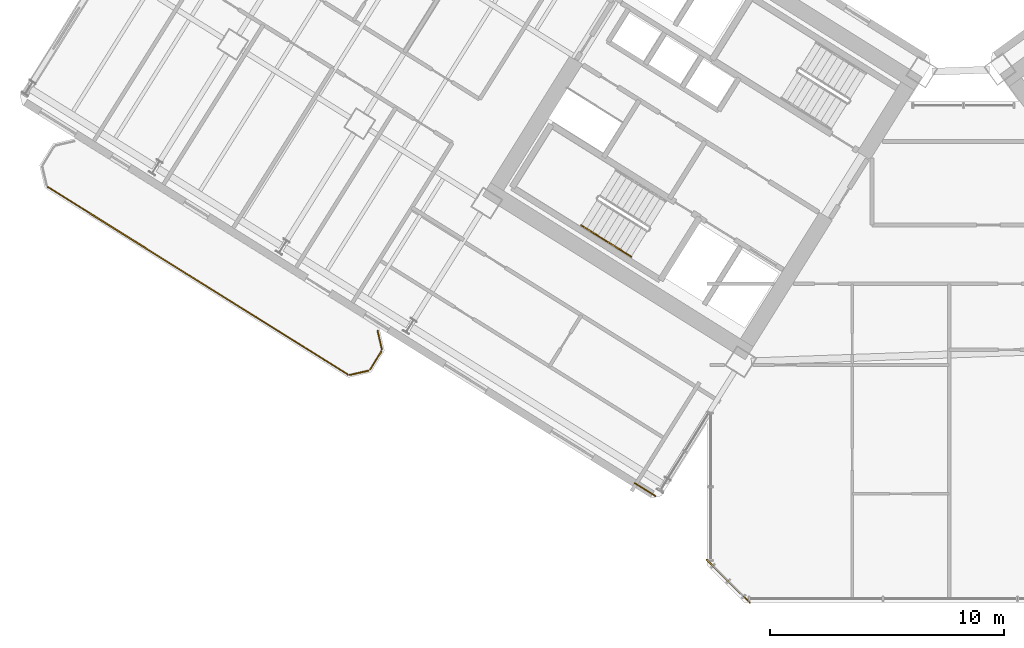
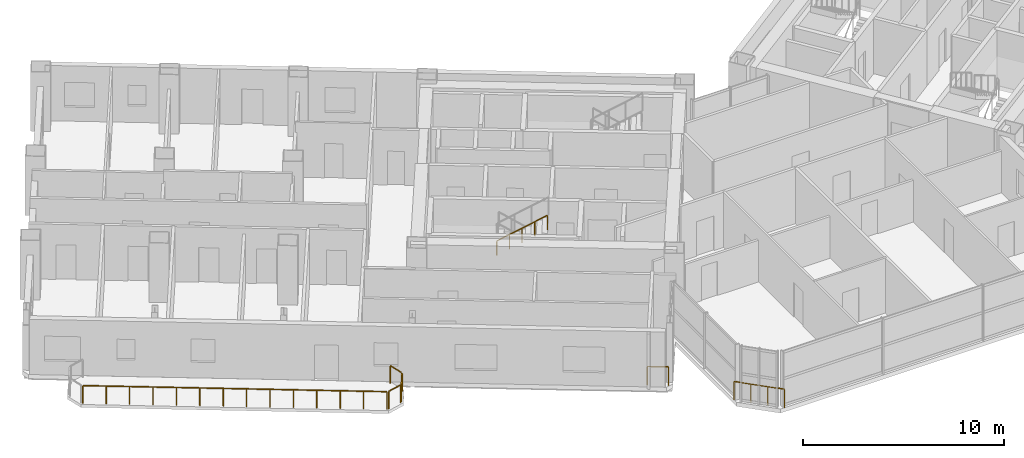
# One storey, part 21 of 24: 8 railings.
"""IFC4 building model written with IfcOpenShell, lengths in metres."""

from ifc_helpers import new_model, si_unit, direction, frame, origin, origin_2d, place, context, subcontext, project, spatial, rectangle, extrude, source, transform, mapped, material, type_object, element, save


model = new_model("IFC4")

# Units and contexts
model_context = context("Model", 3, precision=1e-05, world=origin(), true_north=direction((0.0, 1.0)))
body_context = subcontext(model_context, "Body", "Model", "MODEL_VIEW")
ifc_project = project(units=[si_unit("LENGTHUNIT", "METRE"), si_unit("AREAUNIT", "SQUARE_METRE"), si_unit("VOLUMEUNIT", "CUBIC_METRE"), si_unit("PLANEANGLEUNIT", "RADIAN"), si_unit("MASSUNIT", "GRAM", prefix="KILO")], contexts=[model_context])

# Site, building, storey
site_placement = place(None, origin())
site = spatial("IfcSite", under=ifc_project, at=site_placement, CompositionType="ELEMENT")
building_placement = place(site_placement, origin())
building = spatial("IfcBuilding", under=site, at=building_placement, Name="Tlacorven Tower", CompositionType="ELEMENT")
storey_placement = place(building_placement, frame((0.0, 0.0, 60.0)))
storey = spatial("IfcBuildingStorey", under=building, at=storey_placement, Name="L15", CompositionType="ELEMENT", Elevation=60.0)

# Railings
ifc_material = material(Name="Aluminium and painted steel balustrade", Category="steel")
railing_type_1 = type_object("IfcRailingType", Name="RL-BAL-1100", PredefinedType="BALUSTRADE", material=ifc_material)
shared_shape_1 = source(origin(), body_context, "Body", "SweptSolid", [
    extrude(rectangle(XDim=0.048095703125, YDim=0.048095703125, at=origin_2d()), frame((0.0, 0.0, 1.076171875), z_axis=(0.225058334816, -0.974345290916, 0.0), x_axis=(0.974345290916, 0.225058334816, 0.0)), (0.0, 0.0, 1.0), 0.80712890625),
    extrude(rectangle(XDim=0.0419921875, YDim=0.0419921875, at=origin_2d()), origin(), (0.0, 0.0, 1.0), 1.052001953125),
    extrude(rectangle(XDim=0.0419921875, YDim=0.0419921875, at=origin_2d()), frame((0.181640625, -0.786376953125, 0.0)), (0.0, 0.0, 1.0), 1.052001953125),
])
railing_1_placement = place(storey_placement, frame((17.5244140625, 13.413330078125, 0.0)))
element("IfcRailing", 1, at=railing_1_placement, inside=storey, type_object=railing_type_1, Name="BAL-L15-W-OUT Guard Railing 1", PredefinedType="BALUSTRADE", context=body_context, shape_type="MappedRepresentation", body=[
    mapped(shared_shape_1, transform((0.0, 0.0, 0.0), scale=1.0)),
])
shared_shape_2 = source(origin(), body_context, "Body", "SweptSolid", [
    extrude(rectangle(XDim=0.048095703125, YDim=0.048095703125, at=origin_2d()), frame((0.0, 0.0, 1.076171875), z_axis=(-0.52987865805, -0.848073468364, 0.0), x_axis=(0.848073468364, -0.52987865805, 0.0)), (0.0, 0.0, 1.0), 0.912353515625),
    extrude(rectangle(XDim=0.0419921875, YDim=0.0419921875, at=origin_2d()), origin(), (0.0, 0.0, 1.0), 1.052001953125),
    extrude(rectangle(XDim=0.0419921875, YDim=0.0419921875, at=origin_2d()), frame((-0.4833984375, -0.773681640625, 0.0)), (0.0, 0.0, 1.0), 1.052001953125),
])
railing_2_placement = place(storey_placement, frame((17.690673828125, 12.535888671875, 0.0)))
element("IfcRailing", 2, at=railing_2_placement, inside=storey, type_object=railing_type_1, Name="BAL-L15-W-OUT Guard Railing 2", PredefinedType="BALUSTRADE", context=body_context, shape_type="MappedRepresentation", body=[
    mapped(shared_shape_2, transform((0.0, 0.0, 0.0), scale=1.0)),
])
shared_shape_3 = source(origin(), body_context, "Body", "SweptSolid", [
    extrude(rectangle(XDim=0.048095703125, YDim=0.048095703125, at=origin_2d()), frame((0.0, 0.0, 1.076171875), z_axis=(-0.974411586182, -0.224771129628, 0.0), x_axis=(0.224771129628, -0.974411586182, 0.0)), (0.0, 0.0, 1.0), 0.80712890625),
    extrude(rectangle(XDim=0.0419921875, YDim=0.0419921875, at=origin_2d()), origin(), (0.0, 0.0, 1.0), 1.052001953125),
    extrude(rectangle(XDim=0.0419921875, YDim=0.0419921875, at=origin_2d()), frame((-0.786376953125, -0.181396484375, 0.0)), (0.0, 0.0, 1.0), 1.052001953125),
])
railing_3_placement = place(storey_placement, frame((17.132080078125, 11.70849609375, 0.0)))
element("IfcRailing", 3, at=railing_3_placement, inside=storey, type_object=railing_type_1, Name="BAL-L15-W-OUT Guard Railing 3", PredefinedType="BALUSTRADE", context=body_context, shape_type="MappedRepresentation", body=[
    mapped(shared_shape_3, transform((0.0, 0.0, 0.0), scale=1.0)),
])
shared_shape_4 = source(origin(), body_context, "Body", "SweptSolid", [
    extrude(rectangle(XDim=0.048095703125, YDim=0.048095703125, at=origin_2d()), frame((0.0, 0.0, 1.076171875), z_axis=(-0.848044572804, 0.529924902733, 0.0), x_axis=(-0.529924902733, -0.848044572804, 0.0)), (0.0, 0.0, 1.0), 15.1171875),
    extrude(rectangle(XDim=0.0419921875, YDim=0.0419921875, at=origin_2d()), origin(), (0.0, 0.0, 1.0), 1.052001953125),
    extrude(rectangle(XDim=0.0419921875, YDim=0.0419921875, at=origin_2d()), frame((-0.986083984375, 0.6162109375, 0.0)), (0.0, 0.0, 1.0), 1.052001953125),
    extrude(rectangle(XDim=0.0419921875, YDim=0.0419921875, at=origin_2d()), frame((-1.972412109375, 1.232421875, 0.0)), (0.0, 0.0, 1.0), 1.052001953125),
    extrude(rectangle(XDim=0.0419921875, YDim=0.0419921875, at=origin_2d()), frame((-2.95849609375, 1.8486328125, 0.0)), (0.0, 0.0, 1.0), 1.052001953125),
    extrude(rectangle(XDim=0.0419921875, YDim=0.0419921875, at=origin_2d()), frame((-3.944580078125, 2.46484375, 0.0)), (0.0, 0.0, 1.0), 1.052001953125),
    extrude(rectangle(XDim=0.0419921875, YDim=0.0419921875, at=origin_2d()), frame((-4.930908203125, 3.0810546875, 0.0)), (0.0, 0.0, 1.0), 1.052001953125),
    extrude(rectangle(XDim=0.0419921875, YDim=0.0419921875, at=origin_2d()), frame((-5.9169921875, 3.697265625, 0.0)), (0.0, 0.0, 1.0), 1.052001953125),
    extrude(rectangle(XDim=0.0419921875, YDim=0.0419921875, at=origin_2d()), frame((-6.903076171875, 4.313720703125, 0.0)), (0.0, 0.0, 1.0), 1.052001953125),
    extrude(rectangle(XDim=0.0419921875, YDim=0.0419921875, at=origin_2d()), frame((-7.88916015625, 4.929931640625, 0.0)), (0.0, 0.0, 1.0), 1.052001953125),
    extrude(rectangle(XDim=0.0419921875, YDim=0.0419921875, at=origin_2d()), frame((-8.87548828125, 5.546142578125, 0.0)), (0.0, 0.0, 1.0), 1.052001953125),
    extrude(rectangle(XDim=0.0419921875, YDim=0.0419921875, at=origin_2d()), frame((-9.861572265625, 6.162353515625, 0.0)), (0.0, 0.0, 1.0), 1.052001953125),
    extrude(rectangle(XDim=0.0419921875, YDim=0.0419921875, at=origin_2d()), frame((-10.84765625, 6.778564453125, 0.0)), (0.0, 0.0, 1.0), 1.052001953125),
    extrude(rectangle(XDim=0.0419921875, YDim=0.0419921875, at=origin_2d()), frame((-11.833984375, 7.394775390625, 0.0)), (0.0, 0.0, 1.0), 1.052001953125),
    extrude(rectangle(XDim=0.0419921875, YDim=0.0419921875, at=origin_2d()), frame((-12.820068359375, 8.010986328125, 0.0)), (0.0, 0.0, 1.0), 1.052001953125),
])
railing_4_placement = place(storey_placement, frame((16.254638671875, 11.542236328125, 0.0)))
element("IfcRailing", 4, at=railing_4_placement, inside=storey, type_object=railing_type_1, Name="BAL-L15-W-OUT Guard Railing 4", PredefinedType="BALUSTRADE", context=body_context, shape_type="MappedRepresentation", body=[
    mapped(shared_shape_4, transform((0.0, 0.0, 0.0), scale=1.0)),
])
railing_type_2 = type_object("IfcRailingType", Name="RL-GRD-1150", PredefinedType="GUARDRAIL", material=ifc_material)
shared_shape_5 = source(origin(), body_context, "Body", "SweptSolid", [
    extrude(rectangle(XDim=0.048095703125, YDim=0.048095703125, at=origin_2d()), frame((0.0, 0.0, 1.1259765625), z_axis=(-0.707106781187, 0.707106781187, 0.0), x_axis=(-0.707106781187, -0.707106781187, 0.0)), (0.0, 0.0, 1.0), 2.590087890625),
    extrude(rectangle(XDim=0.0419921875, YDim=0.0419921875, at=origin_2d()), origin(), (0.0, 0.0, 1.0), 1.101806640625),
    extrude(rectangle(XDim=0.0419921875, YDim=0.0419921875, at=origin_2d()), frame((-0.610595703125, 0.610595703125, 0.0)), (0.0, 0.0, 1.0), 1.101806640625),
    extrude(rectangle(XDim=0.0419921875, YDim=0.0419921875, at=origin_2d()), frame((-1.220947265625, 1.220947265625, 0.0)), (0.0, 0.0, 1.0), 1.101806640625),
    extrude(rectangle(XDim=0.0419921875, YDim=0.0419921875, at=origin_2d()), frame((-1.83154296875, 1.83154296875, 0.0)), (0.0, 0.0, 1.0), 1.101806640625),
])
railing_5_placement = place(storey_placement, frame((33.428955078125, 1.79736328125, 0.0)))
element("IfcRailing", 5, at=railing_5_placement, inside=storey, type_object=railing_type_2, Name="L15 Knuckle Glazed Sill Guard 1", PredefinedType="GUARDRAIL", context=body_context, shape_type="MappedRepresentation", body=[
    mapped(shared_shape_5, transform((0.0, 0.0, 0.0), scale=1.0)),
])
shared_shape_6 = source(origin(), body_context, "Body", "SweptSolid", [
    extrude(rectangle(XDim=0.048095703125, YDim=0.048095703125, at=origin_2d()), frame((0.0, 0.0, 1.1259765625), z_axis=(-0.848102774857, 0.529831749973, 0.0), x_axis=(-0.529831749973, -0.848102774857, 0.0)), (0.0, 0.0, 1.0), 1.050048828125),
    extrude(rectangle(XDim=0.0419921875, YDim=0.0419921875, at=origin_2d()), origin(), (0.0, 0.0, 1.0), 1.101806640625),
    extrude(rectangle(XDim=0.0419921875, YDim=0.0419921875, at=origin_2d()), frame((-0.890625, 0.556396484375, 0.0)), (0.0, 0.0, 1.0), 1.101806640625),
])
railing_6_placement = place(storey_placement, frame((29.39501953125, 6.35009765625, 0.0)))
element("IfcRailing", 6, at=railing_6_placement, inside=storey, type_object=railing_type_2, Name="L15 Knuckle Glazed Sill Guard 2", PredefinedType="GUARDRAIL", context=body_context, shape_type="MappedRepresentation", body=[
    mapped(shared_shape_6, transform((0.0, 0.0, 0.0), scale=1.0)),
])
railing_type_3 = type_object("IfcRailingType", Name="RL-HND-0900", PredefinedType="HANDRAIL", material=ifc_material)
shared_shape_7 = source(origin(), body_context, "Body", "SweptSolid", [
    extrude(rectangle(XDim=0.048095703125, YDim=0.048095703125, at=origin_2d()), frame((0.0, 0.0, 0.8759765625), z_axis=(0.713359751793, -0.4457479829, 0.540764828981), x_axis=(0.529911857636, 0.848052724267, 0.0)), (0.0, 0.0, 1.0), 1.498046875),
    extrude(rectangle(XDim=0.0419921875, YDim=0.0419921875, at=origin_2d()), origin(), (0.0, 0.0, 1.0), 0.851806640625),
    extrude(rectangle(XDim=0.0419921875, YDim=0.0419921875, at=origin_2d()), frame((0.5341796875, -0.333984375, 0.405029296875)), (0.0, 0.0, 1.0), 0.851806640625),
    extrude(rectangle(XDim=0.0419921875, YDim=0.0419921875, at=origin_2d()), frame((1.068603515625, -0.667724609375, 0.81005859375)), (0.0, 0.0, 1.0), 0.851806640625),
])
railing_7_placement = place(storey_placement, frame((26.228759765625, 17.915283203125, 1.97998046875)))
element("IfcRailing", 7, at=railing_7_placement, inside=storey, type_object=railing_type_3, Name="L15 ST-W1 stair handrail 3", PredefinedType="HANDRAIL", context=body_context, shape_type="MappedRepresentation", body=[
    mapped(shared_shape_7, transform((0.0, 0.0, 0.0), scale=1.0)),
])
shared_shape_8 = source(origin(), body_context, "Body", "SweptSolid", [
    extrude(rectangle(XDim=0.048095703125, YDim=0.048095703125, at=origin_2d()), frame((0.0, 0.0, 0.8759765625), z_axis=(0.713279695859, -0.445799809912, 0.540827703579), x_axis=(0.529998940003, 0.847998304005, 0.0)), (0.0, 0.0, 1.0), 1.497802734375),
    extrude(rectangle(XDim=0.0419921875, YDim=0.0419921875, at=origin_2d()), origin(), (0.0, 0.0, 1.0), 0.851806640625),
    extrude(rectangle(XDim=0.0419921875, YDim=0.0419921875, at=origin_2d()), frame((0.5341796875, -0.333984375, 0.405029296875)), (0.0, 0.0, 1.0), 0.851806640625),
    extrude(rectangle(XDim=0.0419921875, YDim=0.0419921875, at=origin_2d()), frame((1.068359375, -0.667724609375, 0.81005859375)), (0.0, 0.0, 1.0), 0.851806640625),
])
railing_8_placement = place(storey_placement, frame((27.29736328125, 17.24755859375, 2.7900390625)))
element("IfcRailing", 8, at=railing_8_placement, inside=storey, type_object=railing_type_3, Name="L15 ST-W1 stair handrail 4", PredefinedType="HANDRAIL", context=body_context, shape_type="MappedRepresentation", body=[
    mapped(shared_shape_8, transform((0.0, 0.0, 0.0), scale=1.0)),
])

save(model, "model.ifc")
